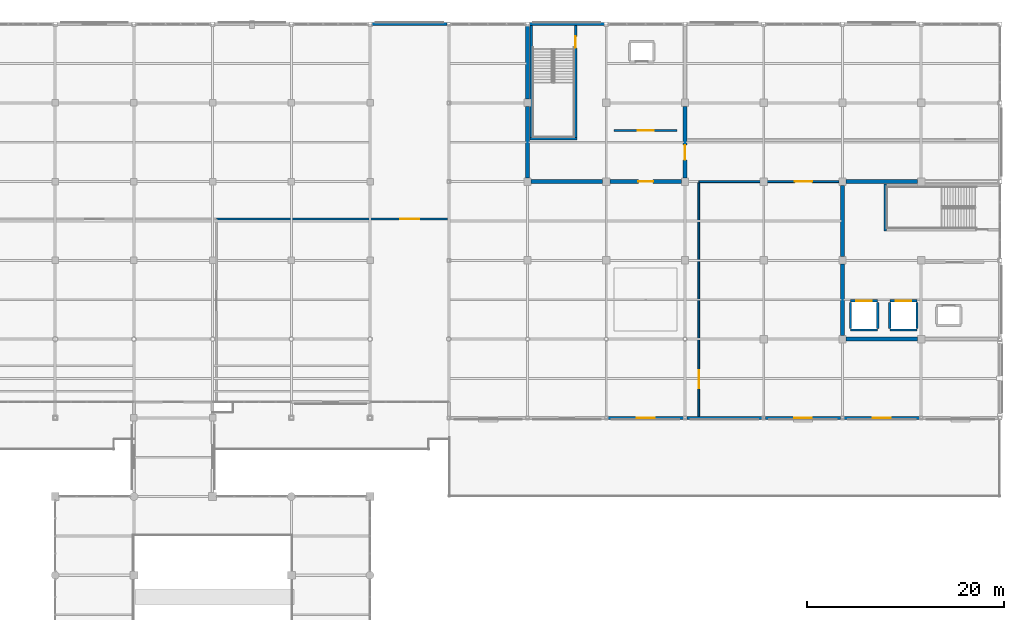
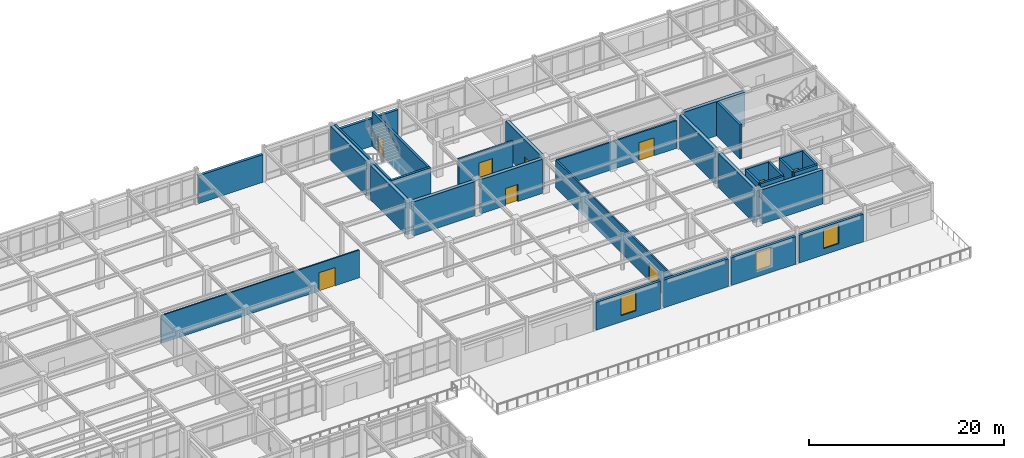
# One storey, part 88 of 111: 31 walls, 9 doors, 3 windows, 12 openings.
"""IFC4 building model written with IfcOpenShell, lengths in metres."""

import ifcopenshell
import ifcopenshell.guid

model = None  # the IFC model being written
_history = None  # IfcOwnerHistory: only IFC2X3 demands one
_inside = {}  # id of a spatial element -> (the spatial element, [elements in it])
_under = {}  # id of a project, library or spatial element -> (it, [spatial elements below it])
_declared = {}  # id of a project -> (the project, [libraries it declares])
_typed = {}  # id of a type object -> (the type object, [elements of that type])
_made_of = {}  # id of a material, layer set ... -> (it, [elements and type objects made of it])


def new_model(schema):
    """Start an empty IFC model of exactly this schema.

    Asked for "IFC4X3", IfcOpenShell would pick the latest addendum, in which some entities
    have other attributes; the version numbers below select the first issue.
    IFC2X3 requires an IfcOwnerHistory on every rooted entity: one is made here for all.
    """
    global model, _history
    if schema == "IFC4X3":
        model = ifcopenshell.file(schema_version=(4, 3, 0, 0))
    else:
        model = ifcopenshell.file(schema=schema)
    _inside.clear()
    _under.clear()
    _declared.clear()
    _typed.clear()
    _made_of.clear()
    _history = None
    if model.schema == "IFC2X3":
        org = make("IfcOrganization", Name="unknown")
        user = make(
            "IfcPersonAndOrganization",
            ThePerson=make("IfcPerson", FamilyName="unknown"),
            TheOrganization=org,
        )
        app = make(
            "IfcApplication",
            ApplicationDeveloper=org,
            Version="unknown",
            ApplicationFullName="unknown",
            ApplicationIdentifier="unknown",
        )
        _history = make(
            "IfcOwnerHistory",
            OwningUser=user,
            OwningApplication=app,
            ChangeAction="ADDED",
            CreationDate=0,
        )
    return model


def make(cls, **values):
    """One entity of the class cls with the attributes given. An attribute that is None is left unset."""
    return model.create_entity(
        cls, **{name: value for name, value in values.items() if value is not None}
    )


def rooted(cls, **values):
    """An entity with a GlobalId (a new one), such as an element, a storey or a relation."""
    return make(cls, GlobalId=ifcopenshell.guid.new(), OwnerHistory=_history, **values)


def si_unit(unit_type, name, prefix=None):
    """IfcSIUnit, for example si_unit("LENGTHUNIT", "METRE", prefix="MILLI")."""
    return make("IfcSIUnit", UnitType=unit_type, Prefix=prefix, Name=name)


def assignment(units):
    """IfcUnitAssignment: the units of a project."""
    return None if units is None else make("IfcUnitAssignment", Units=units)


def point(xyz):
    """IfcCartesianPoint."""
    return None if xyz is None else make("IfcCartesianPoint", Coordinates=xyz)


def direction(xyz):
    """IfcDirection."""
    return None if xyz is None else make("IfcDirection", DirectionRatios=xyz)


def frame(location, z_axis=None, x_axis=None):
    """IfcAxis2Placement3D, a coordinate frame: its origin and axes. An axis left out is left unset."""
    return make(
        "IfcAxis2Placement3D",
        Location=point(location),
        Axis=direction(z_axis),
        RefDirection=direction(x_axis),
    )


def frame_2d(location, x_axis=None):
    """IfcAxis2Placement2D, a coordinate frame in the plane: its origin and x axis."""
    return make(
        "IfcAxis2Placement2D", Location=point(location), RefDirection=direction(x_axis)
    )


def origin():
    """The frame at (0, 0, 0) with its axes left unset."""
    return frame((0.0, 0.0, 0.0))


def place(relative_to, where):
    """IfcLocalPlacement: puts the frame where relative to a parent placement (None: the world)."""
    return make(
        "IfcLocalPlacement", PlacementRelTo=relative_to, RelativePlacement=where
    )


def context(
    kind, dimensions, precision=None, world=None, true_north=None, identifier=None
):
    """IfcGeometricRepresentationContext, for example the 3D "Model" context."""
    return make(
        "IfcGeometricRepresentationContext",
        ContextIdentifier=identifier,
        ContextType=kind,
        CoordinateSpaceDimension=dimensions,
        Precision=precision,
        WorldCoordinateSystem=world,
        TrueNorth=true_north,
    )


def subcontext(parent, identifier, kind, view, scale=None):
    """IfcGeometricRepresentationSubContext, for example "Body" below "Model"."""
    return make(
        "IfcGeometricRepresentationSubContext",
        ContextIdentifier=identifier,
        ContextType=kind,
        ParentContext=parent,
        TargetScale=scale,
        TargetView=view,
    )


def project(units=None, contexts=None):
    """IfcProject with its units and contexts."""
    return rooted(
        "IfcProject",
        Name="project",
        RepresentationContexts=contexts,
        UnitsInContext=assignment(units),
    )


def spatial(cls, under=None, at=None, **own):
    """A site, building, storey or space (cls), placed at a placement, below another one or the project."""
    s = rooted(cls, ObjectPlacement=at, **own)
    if under is not None:
        _under.setdefault(under.id(), (under, []))[1].append(s)
    return s


def profile(cls, at=None, kind="AREA", **sizes):
    """A parametric profile (cls). Its sizes go by their IFC names, for example OverallWidth=200.0."""
    return make(cls, ProfileType=kind, Position=at, **sizes)


def rectangle(**sizes):
    """IfcRectangleProfileDef."""
    return profile("IfcRectangleProfileDef", **sizes)


def extrude(swept, where, along, depth):
    """IfcExtrudedAreaSolid: the profile swept, set in the frame where, extruded along a direction by depth."""
    return make(
        "IfcExtrudedAreaSolid",
        SweptArea=swept,
        Position=where,
        ExtrudedDirection=direction(along),
        Depth=depth,
    )


def shape(context_of_items, identifier, shape_type, items):
    """IfcShapeRepresentation: the items that make up one representation, for example the "Body"."""
    return make(
        "IfcShapeRepresentation",
        ContextOfItems=context_of_items,
        RepresentationIdentifier=identifier,
        RepresentationType=shape_type,
        Items=items,
    )


def material(Name=None, Category=None):
    """IfcMaterial."""
    return make("IfcMaterial", Name=Name, Category=Category)


def layer(
    of_material, thickness, ventilated=None, Name=None, Category=None, Priority=None
):
    """IfcMaterialLayer: one layer of a wall or slab, of a material (None: an air gap)."""
    return make(
        "IfcMaterialLayer",
        Material=of_material,
        LayerThickness=thickness,
        IsVentilated=ventilated,
        Name=Name,
        Category=Category,
        Priority=Priority,
    )


def layer_set(layers, Name=None):
    """IfcMaterialLayerSet."""
    return make("IfcMaterialLayerSet", MaterialLayers=layers, LayerSetName=Name)


def made_of(thing, what):
    """Note that an element or type object is made of a material, layer set ...; save() writes the relation."""
    if what is not None:
        _made_of.setdefault(what.id(), (what, []))[1].append(thing)
    return thing


def type_object(cls, material=None, **own):
    """A type object (cls), such as IfcWallType, which elements share."""
    return made_of(rooted(cls, **own), material)


def element(
    cls,
    number,
    at=None,
    inside=None,
    cuts=None,
    type_object=None,
    material=None,
    context=None,
    identifier="Body",
    shape_type=None,
    held_by="IfcProductDefinitionShape",
    body=None,
    shapes=None,
    **own,
):
    """One element of the class cls, such as IfcWall. Its Tag is "e" and its number.

    at: its placement. inside: the storey or other place that contains it. cuts: it is an
    opening in that element (IfcRelVoidsElement). A single representation is given by context,
    identifier, shape_type and body (its items); several are given by shapes. held_by: the class
    of the entity that holds the representations. save() writes the other relations.
    """
    e = rooted(cls, Tag="e%d" % number, ObjectPlacement=at, **own)
    if body is not None:
        shapes = [shape(context, identifier, shape_type, body)]
    if shapes is not None:
        e.Representation = make(held_by, Representations=shapes)
    if inside is not None:
        _inside.setdefault(inside.id(), (inside, []))[1].append(e)
    if cuts is not None:
        rooted(
            "IfcRelVoidsElement", RelatingBuildingElement=cuts, RelatedOpeningElement=e
        )
    if type_object is not None:
        _typed.setdefault(type_object.id(), (type_object, []))[1].append(e)
    return made_of(e, material)


def fill(opening, filler):
    """IfcRelFillsElement: the door or window that sits in an opening."""
    return rooted(
        "IfcRelFillsElement",
        RelatingOpeningElement=opening,
        RelatedBuildingElement=filler,
    )


def aggregate(whole, parts):
    """IfcRelAggregates: a whole, such as a stair, and the parts it consists of."""
    return rooted("IfcRelAggregates", RelatingObject=whole, RelatedObjects=parts)


def save(model, path):
    """Write the relations noted so far, then the file.

    IfcRelAggregates (storeys below a building ...), IfcRelContainedInSpatialStructure (elements
    in a storey), IfcRelDefinesByType, IfcRelAssociatesMaterial and IfcRelDeclares: one each for
    every whole, place, type object, material and project.
    """
    for whole, parts in _under.values():
        aggregate(whole, parts)
    for where, things in _inside.values():
        rooted(
            "IfcRelContainedInSpatialStructure",
            RelatedElements=things,
            RelatingStructure=where,
        )
    for kind, things in _typed.values():
        rooted("IfcRelDefinesByType", RelatedObjects=things, RelatingType=kind)
    for what, things in _made_of.values():
        rooted("IfcRelAssociatesMaterial", RelatedObjects=things, RelatingMaterial=what)
    for by, libraries in _declared.values():
        rooted("IfcRelDeclares", RelatingContext=by, RelatedDefinitions=libraries)
    model.write(path)


model = new_model("IFC4")

# Units and contexts
model_context = context("Model", 3, precision=1e-05, world=origin(), true_north=direction((0.0, 1.0)))
body_context = subcontext(model_context, "Body", "Model", "MODEL_VIEW")
ifc_project = project(units=[si_unit("LENGTHUNIT", "METRE"), si_unit("AREAUNIT", "SQUARE_METRE"), si_unit("VOLUMEUNIT", "CUBIC_METRE"), si_unit("PLANEANGLEUNIT", "RADIAN"), si_unit("MASSUNIT", "GRAM", prefix="KILO")], contexts=[model_context])

# Site, building, storey
site_placement = place(None, origin())
site = spatial("IfcSite", under=ifc_project, at=site_placement, CompositionType="ELEMENT")
building_placement = place(site_placement, origin())
building = spatial("IfcBuilding", under=site, at=building_placement, Name="Solmirada Galleria", CompositionType="ELEMENT")
storey_placement = place(building_placement, frame((0.0, 0.0, 10.39990234375)))
storey = spatial("IfcBuildingStorey", under=building, at=storey_placement, Name="L02", CompositionType="ELEMENT", Elevation=10.39990234375)

# Wall
ifc_material_1 = material(Name="Concrete C40/50", Category="concrete")
ifc_layer_1 = layer(ifc_material_1, 0.419921875)
ifc_layer_set_1 = layer_set([ifc_layer_1], Name="Concrete C40/50")
wall_type_1 = type_object("IfcWallType", Name="WL-CORE-420", PredefinedType="SHEAR", material=ifc_layer_set_1)
wall_1_placement = place(storey_placement, frame((128.375, 104.0, 0.0), z_axis=(0.0, 0.0, 1.0), x_axis=(1.0, 0.0, 0.0)))
element("IfcWall", 1, at=wall_1_placement, inside=storey, type_object=wall_type_1, Name="Core C3 shear wall L02 S1", PredefinedType="SHEAR", context=body_context, shape_type="SweptSolid", body=[
    extrude(rectangle(XDim=7.25, YDim=0.419921875, at=frame_2d((3.625, 0.0))), origin(), (0.0, 0.0, 1.0), 4.280029296875),
])

# Wall, opening, door
wall_2_placement = place(storey_placement, frame((136.375, 104.0, 0.0), z_axis=(0.0, 0.0, 1.0), x_axis=(1.0, 0.0, 0.0)))
wall_2 = element("IfcWall", 2, at=wall_2_placement, inside=storey, type_object=wall_type_1, Name="Core C3 shear wall L02 S2", PredefinedType="SHEAR", context=body_context, shape_type="SweptSolid", body=[
    extrude(rectangle(XDim=7.25, YDim=0.419921875, at=frame_2d((3.625, 0.0))), origin(), (0.0, 0.0, 1.0), 4.280029296875),
])
opening_1_placement = place(wall_2_placement, frame((2.875, 0.0, 0.0)))
opening_1 = element("IfcOpeningElement", 3, at=opening_1_placement, cuts=wall_2, Name="Opening LDY-182", PredefinedType="OPENING", context=body_context, shape_type="SweptSolid", body=[
    extrude(rectangle(XDim=1.5, YDim=2.14990234375, at=frame_2d((0.75, 1.074951171875))), frame((0.0, 0.219970703125, 0.0), z_axis=(0.0, -1.0, 0.0), x_axis=(1.0, 0.0, 0.0)), (0.0, 0.0, 1.0), 0.43994140625),
])
ifc_material_2 = material(Name="Fire-rated painted steel door assembly", Category="steel")
door_type_1 = type_object("IfcDoorType", Name="DR-LOBBY-150X215", OperationType="DOUBLE_DOOR_SINGLE_SWING", PredefinedType="DOOR", material=ifc_material_2)
door_1_placement = place(opening_1_placement, origin())
door_1 = element("IfcDoor", 4, at=door_1_placement, inside=storey, type_object=door_type_1, Name="Core C3 lobby access fire door LDY-182", OperationType="DOUBLE_DOOR_SINGLE_SWING", OverallHeight=2.14990234375, OverallWidth=1.5, PredefinedType="DOOR", context=body_context, shape_type="SweptSolid", body=[
    extrude(rectangle(XDim=1.5, YDim=2.14990234375, at=frame_2d((0.75, 1.074951171875))), frame((0.0, 0.02490234375, 0.0), z_axis=(0.0, -1.0, 0.0), x_axis=(1.0, 0.0, 0.0)), (0.0, 0.0, 1.0), 0.050048828125),
])
fill(opening_1, door_1)

# Walls
wall_3_placement = place(storey_placement, frame((128.0, 104.375, 0.0), z_axis=(0.0, 0.0, 1.0), x_axis=(0.0, 1.0, 0.0)))
element("IfcWall", 5, at=wall_3_placement, inside=storey, type_object=wall_type_1, Name="Core C3 shear wall L02 W1", PredefinedType="SHEAR", context=body_context, shape_type="SweptSolid", body=[
    extrude(rectangle(XDim=7.25, YDim=0.419921875, at=frame_2d((3.625, 0.0))), origin(), (0.0, 0.0, 1.0), 4.280029296875),
])
wall_4_placement = place(storey_placement, frame((128.0, 112.375, 0.0), z_axis=(0.0, 0.0, 1.0), x_axis=(0.0, 1.0, 0.0)))
element("IfcWall", 6, at=wall_4_placement, inside=storey, type_object=wall_type_1, Name="Core C3 shear wall L02 W2", PredefinedType="SHEAR", context=body_context, shape_type="SweptSolid", body=[
    extrude(rectangle(XDim=7.422119140625, YDim=0.419921875, at=frame_2d((3.7109375, 0.0))), origin(), (0.0, 0.0, 1.0), 4.280029296875),
])

# Wall, opening, door
wall_5_placement = place(storey_placement, frame((144.0, 104.375, 0.0), z_axis=(0.0, 0.0, 1.0), x_axis=(0.0, 1.0, 0.0)))
wall_5 = element("IfcWall", 7, at=wall_5_placement, inside=storey, type_object=wall_type_1, Name="Core C3 shear wall L02 E1", PredefinedType="SHEAR", context=body_context, shape_type="SweptSolid", body=[
    extrude(rectangle(XDim=7.25, YDim=0.419921875, at=frame_2d((3.625, 0.0))), origin(), (0.0, 0.0, 1.0), 4.280029296875),
])
opening_2_placement = place(wall_5_placement, frame((1.837890625, 0.0, 0.0)))
opening_2 = element("IfcOpeningElement", 8, at=opening_2_placement, cuts=wall_5, Name="Opening LDY-183", PredefinedType="OPENING", context=body_context, shape_type="SweptSolid", body=[
    extrude(rectangle(XDim=1.5, YDim=2.14990234375, at=frame_2d((0.75, 1.074951171875))), frame((0.0, 0.219970703125, 0.0), z_axis=(0.0, -1.0, 0.0), x_axis=(1.0, 0.0, 0.0)), (0.0, 0.0, 1.0), 0.43994140625),
])
door_2_placement = place(opening_2_placement, origin())
door_2 = element("IfcDoor", 9, at=door_2_placement, inside=storey, type_object=door_type_1, Name="Core C3 lobby access fire door LDY-183", OperationType="DOUBLE_DOOR_SINGLE_SWING", OverallHeight=2.14990234375, OverallWidth=1.5, PredefinedType="DOOR", context=body_context, shape_type="SweptSolid", body=[
    extrude(rectangle(XDim=1.5, YDim=2.14990234375, at=frame_2d((0.75, 1.074951171875))), frame((0.0, 0.02490234375, 0.0), z_axis=(0.0, -1.0, 0.0), x_axis=(1.0, 0.0, 0.0)), (0.0, 0.0, 1.0), 0.050048828125),
])
fill(opening_2, door_2)

# Walls
for number, where, z_axis, x_axis, name in (
    (10, (160.375, 88.0, 0.0), (0.0, 0.0, 1.0), (1.0, 0.0, 0.0), "Core C4 shear wall L02 S1"),
    (11, (160.375, 104.0, 0.0), (0.0, 0.0, 1.0), (1.0, 0.0, 0.0), "Core C4 shear wall L02 N1"),
    (12, (160.0, 88.375, 0.0), (0.0, 0.0, 1.0), (0.0, 1.0, 0.0), "Core C4 shear wall L02 W1"),
    (13, (160.0, 96.375, 0.0), (0.0, 0.0, 1.0), (0.0, 1.0, 0.0), "Core C4 shear wall L02 W2"),
):
    element("IfcWall", number, at=place(storey_placement, frame(where, z_axis=z_axis, x_axis=x_axis)), inside=storey, type_object=wall_type_1, Name=name, PredefinedType="SHEAR", context=body_context, shape_type="SweptSolid", body=[
        extrude(rectangle(XDim=7.25, YDim=0.419921875, at=frame_2d((3.625, 0.0))), origin(), (0.0, 0.0, 1.0), 4.280029296875),
    ])
ifc_material_3 = material(Name="Precast concrete C40/50", Category="concrete")
ifc_layer_2 = layer(ifc_material_3, 0.31005859375)
ifc_layer_set_2 = layer_set([ifc_layer_2], Name="Precast concrete C40/50")
wall_type_2 = type_object("IfcWallType", Name="WL-EXT-310", PredefinedType="STANDARD", material=ifc_layer_set_2)
wall_6_placement = place(storey_placement, frame((112.202880859375, 120.0, 0.0), z_axis=(0.0, 0.0, 1.0), x_axis=(1.0, 0.0, 0.0)))
element("IfcWall", 14, at=wall_6_placement, inside=storey, type_object=wall_type_2, Name="Exterior wall L02 bay 048", PredefinedType="STANDARD", context=body_context, shape_type="SweptSolid", body=[
    extrude(rectangle(XDim=7.619140625, YDim=0.31005859375, at=frame_2d((3.8095703125, 0.0))), origin(), (0.0, 0.0, 1.0), 3.47998046875),
])
wall_7_placement = place(storey_placement, frame((128.202880859375, 120.0, 0.0), z_axis=(0.0, 0.0, 1.0), x_axis=(1.0, 0.0, 0.0)))
element("IfcWall", 15, at=wall_7_placement, inside=storey, type_object=wall_type_2, Name="Exterior wall L02 bay 050", PredefinedType="STANDARD", context=body_context, shape_type="SweptSolid", body=[
    extrude(rectangle(XDim=7.59423828125, YDim=0.31005859375, at=frame_2d((3.797119140625, 0.0))), origin(), (0.0, 0.0, 1.0), 3.47998046875),
])

# Wall, opening, window
wall_8_placement = place(storey_placement, frame((167.822021484375, 80.0, 0.0), z_axis=(0.0, 0.0, 1.0), x_axis=(-1.0, 0.0, 0.0)))
wall_8 = element("IfcWall", 16, at=wall_8_placement, inside=storey, type_object=wall_type_2, Name="Exterior wall L02 bay 062", PredefinedType="STANDARD", context=body_context, shape_type="SweptSolid", body=[
    extrude(rectangle(XDim=7.64404296875, YDim=0.31005859375, at=frame_2d((3.822021484375, 0.0))), origin(), (0.0, 0.0, 1.0), 3.47998046875),
])
opening_3_placement = place(wall_8_placement, frame((2.922119140625, 0.0, 0.800048828125)))
opening_3 = element("IfcOpeningElement", 17, at=opening_3_placement, cuts=wall_8, Name="Opening WN25", PredefinedType="OPENING", context=body_context, shape_type="SweptSolid", body=[
    extrude(rectangle(XDim=1.800048828125, YDim=2.39990234375, at=frame_2d((0.89990234375, 1.199951171875))), frame((0.0, 0.1650390625, 0.0), z_axis=(0.0, -1.0, 0.0), x_axis=(1.0, 0.0, 0.0)), (0.0, 0.0, 1.0), 0.330078125),
])
ifc_material_4 = material(Name="Impact-resistant low-E double glazing", Category="glass")
window_type = type_object("IfcWindowType", Name="WIN-ARCH-180X240", PartitioningType="DOUBLE_PANEL_HORIZONTAL", PredefinedType="WINDOW", material=ifc_material_4)
window_1_placement = place(opening_3_placement, origin())
window_1 = element("IfcWindow", 18, at=window_1_placement, inside=storey, type_object=window_type, Name="Window L02-055", OverallHeight=2.39990234375, OverallWidth=1.800048828125, PartitioningType="DOUBLE_PANEL_HORIZONTAL", PredefinedType="WINDOW", context=body_context, shape_type="SweptSolid", body=[
    extrude(rectangle(XDim=1.800048828125, YDim=2.39990234375, at=frame_2d((0.89990234375, 1.199951171875))), frame((0.0, 0.030029296875, 0.0), z_axis=(0.0, -1.0, 0.0), x_axis=(1.0, 0.0, 0.0)), (0.0, 0.0, 1.0), 0.06005859375),
])
fill(opening_3, window_1)

wall_9_placement = place(storey_placement, frame((159.822021484375, 80.0, 0.0), z_axis=(0.0, 0.0, 1.0), x_axis=(-1.0, 0.0, 0.0)))
wall_9 = element("IfcWall", 19, at=wall_9_placement, inside=storey, type_object=wall_type_2, Name="Exterior wall L02 bay 063", PredefinedType="STANDARD", context=body_context, shape_type="SweptSolid", body=[
    extrude(rectangle(XDim=7.64404296875, YDim=0.31005859375, at=frame_2d((3.822021484375, 0.0))), origin(), (0.0, 0.0, 1.0), 3.47998046875),
])
opening_4_placement = place(wall_9_placement, frame((2.922119140625, 0.0, 0.800048828125)))
opening_4 = element("IfcOpeningElement", 20, at=opening_4_placement, cuts=wall_9, Name="Opening WN25", PredefinedType="OPENING", context=body_context, shape_type="SweptSolid", body=[
    extrude(rectangle(XDim=1.800048828125, YDim=2.39990234375, at=frame_2d((0.89990234375, 1.199951171875))), frame((0.0, 0.1650390625, 0.0), z_axis=(0.0, -1.0, 0.0), x_axis=(1.0, 0.0, 0.0)), (0.0, 0.0, 1.0), 0.330078125),
])
window_2_placement = place(opening_4_placement, origin())
window_2 = element("IfcWindow", 21, at=window_2_placement, inside=storey, type_object=window_type, Name="Window L02-056", OverallHeight=2.39990234375, OverallWidth=1.800048828125, PartitioningType="DOUBLE_PANEL_HORIZONTAL", PredefinedType="WINDOW", context=body_context, shape_type="SweptSolid", body=[
    extrude(rectangle(XDim=1.800048828125, YDim=2.39990234375, at=frame_2d((0.89990234375, 1.199951171875))), frame((0.0, 0.030029296875, 0.0), z_axis=(0.0, -1.0, 0.0), x_axis=(1.0, 0.0, 0.0)), (0.0, 0.0, 1.0), 0.06005859375),
])
fill(opening_4, window_2)

# Wall
wall_10_placement = place(storey_placement, frame((151.822021484375, 80.0, 0.0), z_axis=(0.0, 0.0, 1.0), x_axis=(-1.0, 0.0, 0.0)))
element("IfcWall", 22, at=wall_10_placement, inside=storey, type_object=wall_type_2, Name="Exterior wall L02 bay 064", PredefinedType="STANDARD", context=body_context, shape_type="SweptSolid", body=[
    extrude(rectangle(XDim=7.64404296875, YDim=0.31005859375, at=frame_2d((3.822021484375, 0.0))), origin(), (0.0, 0.0, 1.0), 3.47998046875),
])

# Wall, opening, window
wall_11_placement = place(storey_placement, frame((143.822021484375, 80.0, 0.0), z_axis=(0.0, 0.0, 1.0), x_axis=(-1.0, 0.0, 0.0)))
wall_11 = element("IfcWall", 23, at=wall_11_placement, inside=storey, type_object=wall_type_2, Name="Exterior wall L02 bay 065", PredefinedType="STANDARD", context=body_context, shape_type="SweptSolid", body=[
    extrude(rectangle(XDim=7.64404296875, YDim=0.31005859375, at=frame_2d((3.822021484375, 0.0))), origin(), (0.0, 0.0, 1.0), 3.47998046875),
])
opening_5_placement = place(wall_11_placement, frame((2.922119140625, 0.0, 0.800048828125)))
opening_5 = element("IfcOpeningElement", 24, at=opening_5_placement, cuts=wall_11, Name="Opening WN25", PredefinedType="OPENING", context=body_context, shape_type="SweptSolid", body=[
    extrude(rectangle(XDim=1.800048828125, YDim=2.39990234375, at=frame_2d((0.89990234375, 1.199951171875))), frame((0.0, 0.1650390625, 0.0), z_axis=(0.0, -1.0, 0.0), x_axis=(1.0, 0.0, 0.0)), (0.0, 0.0, 1.0), 0.330078125),
])
window_3_placement = place(opening_5_placement, origin())
window_3 = element("IfcWindow", 25, at=window_3_placement, inside=storey, type_object=window_type, Name="Window L02-057", OverallHeight=2.39990234375, OverallWidth=1.800048828125, PartitioningType="DOUBLE_PANEL_HORIZONTAL", PredefinedType="WINDOW", context=body_context, shape_type="SweptSolid", body=[
    extrude(rectangle(XDim=1.800048828125, YDim=2.39990234375, at=frame_2d((0.89990234375, 1.199951171875))), frame((0.0, 0.030029296875, 0.0), z_axis=(0.0, -1.0, 0.0), x_axis=(1.0, 0.0, 0.0)), (0.0, 0.0, 1.0), 0.06005859375),
])
fill(opening_5, window_3)

# Wall, opening, door
ifc_layer_3 = layer(ifc_material_1, 0.239990234375)
ifc_layer_set_3 = layer_set([ifc_layer_3], Name="Concrete C40/50")
wall_type_3 = type_object("IfcWallType", Name="WL-HOIST-240", PredefinedType="PARTITIONING", material=ifc_layer_set_3)
wall_12_placement = place(storey_placement, frame((164.820068359375, 91.8798828125, 0.0), z_axis=(0.0, 0.0, 1.0), x_axis=(1.0, 0.0, 0.0)))
wall_12 = element("IfcWall", 26, at=wall_12_placement, inside=storey, type_object=wall_type_3, Name="Lift GF1 hoistway front wall L02", PredefinedType="PARTITIONING", context=body_context, shape_type="SweptSolid", body=[
    extrude(rectangle(XDim=2.760009765625, YDim=0.239990234375, at=frame_2d((1.3798828125, 0.0))), origin(), (0.0, 0.0, 1.0), 4.280029296875),
])
opening_6_placement = place(wall_12_placement, frame((0.580078125, 0.0, 0.0)))
opening_6 = element("IfcOpeningElement", 27, at=opening_6_placement, cuts=wall_12, Name="Opening LD-GF1-L02", PredefinedType="OPENING", context=body_context, shape_type="SweptSolid", body=[
    extrude(rectangle(XDim=1.60009765625, YDim=2.300048828125, at=frame_2d((0.800048828125, 1.14990234375))), frame((0.0, 0.1298828125, 0.0), z_axis=(0.0, -1.0, 0.0), x_axis=(1.0, 0.0, 0.0)), (0.0, 0.0, 1.0), 0.260009765625),
])
ifc_material_5 = material(Name="Brushed stainless-steel sliding landing door", Category="steel")
door_type_2 = type_object("IfcDoorType", Name="DR-LIFT-160X230", OperationType="SLIDING_TO_LEFT", PredefinedType="DOOR", material=ifc_material_5)
door_3_placement = place(opening_6_placement, origin())
door_3 = element("IfcDoor", 28, at=door_3_placement, inside=storey, type_object=door_type_2, Name="Lift GF1 sliding landing door L02", OperationType="SLIDING_TO_LEFT", OverallHeight=2.300048828125, OverallWidth=1.60009765625, PredefinedType="DOOR", context=body_context, shape_type="SweptSolid", body=[
    extrude(rectangle(XDim=1.60009765625, YDim=2.300048828125, at=frame_2d((0.800048828125, 1.14990234375))), frame((0.0, 0.02490234375, 0.0), z_axis=(0.0, -1.0, 0.0), x_axis=(1.0, 0.0, 0.0)), (0.0, 0.0, 1.0), 0.050048828125),
])
fill(opening_6, door_3)

# Walls
wall_13_placement = place(storey_placement, frame((164.820068359375, 88.919921875, 0.0), z_axis=(0.0, 0.0, 1.0), x_axis=(1.0, 0.0, 0.0)))
element("IfcWall", 29, at=wall_13_placement, inside=storey, type_object=wall_type_3, Name="Lift GF1 hoistway rear wall L02", PredefinedType="PARTITIONING", context=body_context, shape_type="SweptSolid", body=[
    extrude(rectangle(XDim=2.760009765625, YDim=0.239990234375, at=frame_2d((1.3798828125, 0.0))), origin(), (0.0, 0.0, 1.0), 4.280029296875),
])
for number, where, z_axis, x_axis, name in (
    (30, (164.820068359375, 89.06005859375, 0.0), (0.0, 0.0, 1.0), (0.0, 1.0, 0.0), "Lift GF1 hoistway side wall L L02"),
    (31, (167.580078125, 89.06005859375, 0.0), (0.0, 0.0, 1.0), (0.0, 1.0, 0.0), "Lift GF1 hoistway side wall R L02"),
):
    element("IfcWall", number, at=place(storey_placement, frame(where, z_axis=z_axis, x_axis=x_axis)), inside=storey, type_object=wall_type_3, Name=name, PredefinedType="PARTITIONING", context=body_context, shape_type="SweptSolid", body=[
        extrude(rectangle(XDim=2.679931640625, YDim=0.239990234375, at=frame_2d((1.33984375, 0.0))), origin(), (0.0, 0.0, 1.0), 4.280029296875),
    ])

# Wall, opening, door
wall_14_placement = place(storey_placement, frame((160.820068359375, 91.8798828125, 0.0), z_axis=(0.0, 0.0, 1.0), x_axis=(1.0, 0.0, 0.0)))
wall_14 = element("IfcWall", 32, at=wall_14_placement, inside=storey, type_object=wall_type_3, Name="Lift GF2 hoistway front wall L02", PredefinedType="PARTITIONING", context=body_context, shape_type="SweptSolid", body=[
    extrude(rectangle(XDim=2.760009765625, YDim=0.239990234375, at=frame_2d((1.3798828125, 0.0))), origin(), (0.0, 0.0, 1.0), 4.280029296875),
])
opening_7_placement = place(wall_14_placement, frame((0.580078125, 0.0, 0.0)))
opening_7 = element("IfcOpeningElement", 33, at=opening_7_placement, cuts=wall_14, Name="Opening LD-GF2-L02", PredefinedType="OPENING", context=body_context, shape_type="SweptSolid", body=[
    extrude(rectangle(XDim=1.60009765625, YDim=2.300048828125, at=frame_2d((0.800048828125, 1.14990234375))), frame((0.0, 0.1298828125, 0.0), z_axis=(0.0, -1.0, 0.0), x_axis=(1.0, 0.0, 0.0)), (0.0, 0.0, 1.0), 0.260009765625),
])
door_4_placement = place(opening_7_placement, origin())
door_4 = element("IfcDoor", 34, at=door_4_placement, inside=storey, type_object=door_type_2, Name="Lift GF2 sliding landing door L02", OperationType="SLIDING_TO_LEFT", OverallHeight=2.300048828125, OverallWidth=1.60009765625, PredefinedType="DOOR", context=body_context, shape_type="SweptSolid", body=[
    extrude(rectangle(XDim=1.60009765625, YDim=2.300048828125, at=frame_2d((0.800048828125, 1.14990234375))), frame((0.0, 0.02490234375, 0.0), z_axis=(0.0, -1.0, 0.0), x_axis=(1.0, 0.0, 0.0)), (0.0, 0.0, 1.0), 0.050048828125),
])
fill(opening_7, door_4)

# Walls
wall_15_placement = place(storey_placement, frame((160.820068359375, 88.919921875, 0.0), z_axis=(0.0, 0.0, 1.0), x_axis=(1.0, 0.0, 0.0)))
element("IfcWall", 35, at=wall_15_placement, inside=storey, type_object=wall_type_3, Name="Lift GF2 hoistway rear wall L02", PredefinedType="PARTITIONING", context=body_context, shape_type="SweptSolid", body=[
    extrude(rectangle(XDim=2.760009765625, YDim=0.239990234375, at=frame_2d((1.3798828125, 0.0))), origin(), (0.0, 0.0, 1.0), 4.280029296875),
])
for number, where, z_axis, x_axis, name in (
    (36, (160.820068359375, 89.06005859375, 0.0), (0.0, 0.0, 1.0), (0.0, 1.0, 0.0), "Lift GF2 hoistway side wall L L02"),
    (37, (163.580078125, 89.06005859375, 0.0), (0.0, 0.0, 1.0), (0.0, 1.0, 0.0), "Lift GF2 hoistway side wall R L02"),
):
    element("IfcWall", number, at=place(storey_placement, frame(where, z_axis=z_axis, x_axis=x_axis)), inside=storey, type_object=wall_type_3, Name=name, PredefinedType="PARTITIONING", context=body_context, shape_type="SweptSolid", body=[
        extrude(rectangle(XDim=2.679931640625, YDim=0.239990234375, at=frame_2d((1.33984375, 0.0))), origin(), (0.0, 0.0, 1.0), 4.280029296875),
    ])

# Wall, opening, door
ifc_material_6 = material(Name="Acoustic gypsum board partition")
ifc_layer_4 = layer(ifc_material_6, 0.159912109375)
ifc_layer_set_4 = layer_set([ifc_layer_4], Name="Acoustic gypsum board partition")
wall_type_4 = type_object("IfcWallType", Name="WL-PART-160", PredefinedType="PARTITIONING", material=ifc_layer_set_4)
wall_16_placement = place(storey_placement, frame((96.39990234375, 100.199951171875, 0.0), z_axis=(0.0, 0.0, 1.0), x_axis=(1.0, 0.0, 0.0)))
wall_16 = element("IfcWall", 38, at=wall_16_placement, inside=storey, type_object=wall_type_4, Name="Partition L02-073 (North Promenade E L02)", PredefinedType="PARTITIONING", context=body_context, shape_type="SweptSolid", body=[
    extrude(rectangle(XDim=23.4501953125, YDim=0.159912109375, at=frame_2d((11.72509765625, 0.0))), origin(), (0.0, 0.0, 1.0), 3.47998046875),
])
opening_8_placement = place(wall_16_placement, frame((18.673095703125, 0.0, 0.0)))
opening_8 = element("IfcOpeningElement", 39, at=opening_8_placement, cuts=wall_16, Name="Opening ID-309", PredefinedType="OPENING", context=body_context, shape_type="SweptSolid", body=[
    extrude(rectangle(XDim=1.89990234375, YDim=2.300048828125, at=frame_2d((0.949951171875, 1.14990234375))), frame((0.0, 0.08984375, 0.0), z_axis=(0.0, -1.0, 0.0), x_axis=(1.0, 0.0, 0.0)), (0.0, 0.0, 1.0), 0.179931640625),
])
ifc_material_7 = material(Name="Architectural hardwood veneer door", Category="wood")
door_type_3 = type_object("IfcDoorType", Name="DR-DEPT-190X230", OperationType="DOUBLE_DOOR_SINGLE_SWING", PredefinedType="DOOR", material=ifc_material_7)
door_5_placement = place(opening_8_placement, origin())
door_5 = element("IfcDoor", 40, at=door_5_placement, inside=storey, type_object=door_type_3, Name="North Promenade E L02 door ID-309", OperationType="DOUBLE_DOOR_SINGLE_SWING", OverallHeight=2.300048828125, OverallWidth=1.89990234375, PredefinedType="DOOR", context=body_context, shape_type="SweptSolid", body=[
    extrude(rectangle(XDim=1.89990234375, YDim=2.300048828125, at=frame_2d((0.949951171875, 1.14990234375))), frame((0.0, 0.02490234375, 0.0), z_axis=(0.0, -1.0, 0.0), x_axis=(1.0, 0.0, 0.0)), (0.0, 0.0, 1.0), 0.050048828125),
])
fill(opening_8, door_5)

ifc_material_8 = material(Name="Fire-rated gypsum and steel-stud partition", Category="steel")
ifc_layer_5 = layer(ifc_material_8, 0.18994140625)
ifc_layer_set_5 = layer_set([ifc_layer_5], Name="Fire-rated gypsum and steel-stud partition")
wall_type_5 = type_object("IfcWallType", Name="WL-PART-190", PredefinedType="PARTITIONING", material=ifc_layer_set_5)
wall_17_placement = place(storey_placement, frame((145.39990234375, 104.0, 0.0), z_axis=(0.0, 0.0, 1.0), x_axis=(1.0, 0.0, 0.0)))
wall_17 = element("IfcWall", 41, at=wall_17_placement, inside=storey, type_object=wall_type_5, Name="Partition L02-088 (NE Corridor South E L02)", PredefinedType="PARTITIONING", context=body_context, shape_type="SweptSolid", body=[
    extrude(rectangle(XDim=14.22509765625, YDim=0.18994140625, at=frame_2d((7.112548828125, 0.0))), origin(), (0.0, 0.0, 1.0), 3.47998046875),
])
opening_9_placement = place(wall_17_placement, frame((9.72998046875, 0.0, 0.0)))
opening_9 = element("IfcOpeningElement", 42, at=opening_9_placement, cuts=wall_17, Name="Opening ID-321", PredefinedType="OPENING", context=body_context, shape_type="SweptSolid", body=[
    extrude(rectangle(XDim=1.800048828125, YDim=2.25, at=frame_2d((0.89990234375, 1.125))), frame((0.0, 0.10498046875, 0.0), z_axis=(0.0, -1.0, 0.0), x_axis=(1.0, 0.0, 0.0)), (0.0, 0.0, 1.0), 0.2099609375),
])
door_type_4 = type_object("IfcDoorType", Name="DR-STOCK-180X225", OperationType="DOUBLE_DOOR_SINGLE_SWING", PredefinedType="DOOR", material=ifc_material_2)
door_6_placement = place(opening_9_placement, origin())
door_6 = element("IfcDoor", 43, at=door_6_placement, inside=storey, type_object=door_type_4, Name="NE Corridor South E L02 door ID-321", OperationType="DOUBLE_DOOR_SINGLE_SWING", OverallHeight=2.25, OverallWidth=1.800048828125, PredefinedType="DOOR", context=body_context, shape_type="SweptSolid", body=[
    extrude(rectangle(XDim=1.800048828125, YDim=2.25, at=frame_2d((0.89990234375, 1.125))), frame((0.0, 0.02490234375, 0.0), z_axis=(0.0, -1.0, 0.0), x_axis=(1.0, 0.0, 0.0)), (0.0, 0.0, 1.0), 0.050048828125),
])
fill(opening_9, door_6)

wall_18_placement = place(storey_placement, frame((145.39990234375, 80.14990234375, 0.0), z_axis=(0.0, 0.0, 1.0), x_axis=(0.0, 1.0, 0.0)))
wall_18 = element("IfcWall", 44, at=wall_18_placement, inside=storey, type_object=wall_type_5, Name="Partition L02-089 (Stockroom L02)", PredefinedType="PARTITIONING", context=body_context, shape_type="SweptSolid", body=[
    extrude(rectangle(XDim=23.85009765625, YDim=0.18994140625, at=frame_2d((11.925048828125, 0.0))), origin(), (0.0, 0.0, 1.0), 3.47998046875),
])
opening_10_placement = place(wall_18_placement, frame((2.862060546875, 0.0, 0.0)))
opening_10 = element("IfcOpeningElement", 45, at=opening_10_placement, cuts=wall_18, Name="Opening ID-322", PredefinedType="OPENING", context=body_context, shape_type="SweptSolid", body=[
    extrude(rectangle(XDim=1.800048828125, YDim=2.25, at=frame_2d((0.89990234375, 1.125))), frame((0.0, 0.10498046875, 0.0), z_axis=(0.0, -1.0, 0.0), x_axis=(1.0, 0.0, 0.0)), (0.0, 0.0, 1.0), 0.2099609375),
])
door_7_placement = place(opening_10_placement, origin())
door_7 = element("IfcDoor", 46, at=door_7_placement, inside=storey, type_object=door_type_4, Name="Stockroom L02 door ID-322", OperationType="DOUBLE_DOOR_SINGLE_SWING", OverallHeight=2.25, OverallWidth=1.800048828125, PredefinedType="DOOR", context=body_context, shape_type="SweptSolid", body=[
    extrude(rectangle(XDim=1.800048828125, YDim=2.25, at=frame_2d((0.89990234375, 1.125))), frame((0.0, 0.02490234375, 0.0), z_axis=(0.0, -1.0, 0.0), x_axis=(1.0, 0.0, 0.0)), (0.0, 0.0, 1.0), 0.050048828125),
])
fill(opening_10, door_7)

ifc_layer_6 = layer(ifc_material_8, 0.219970703125)
ifc_layer_set_6 = layer_set([ifc_layer_6], Name="Fire-rated gypsum and steel-stud partition")
wall_type_6 = type_object("IfcWallType", Name="WL-PART-220", PredefinedType="PARTITIONING", material=ifc_layer_set_6)
wall_19_placement = place(storey_placement, frame((136.800048828125, 109.199951171875, 0.0), z_axis=(0.0, 0.0, 1.0), x_axis=(1.0, 0.0, 0.0)))
wall_19 = element("IfcWall", 47, at=wall_19_placement, inside=storey, type_object=wall_type_6, Name="Firefighting lift lobby C3 smoke barrier L02", PredefinedType="PARTITIONING", context=body_context, shape_type="SweptSolid", body=[
    extrude(rectangle(XDim=6.39990234375, YDim=0.219970703125, at=frame_2d((3.199951171875, 0.0))), origin(), (0.0, 0.0, 1.0), 3.47998046875),
])
opening_11_placement = place(wall_19_placement, frame((2.39990234375, 0.0, 0.0)))
opening_11 = element("IfcOpeningElement", 48, at=opening_11_placement, cuts=wall_19, Name="Opening FD-184", PredefinedType="OPENING", context=body_context, shape_type="SweptSolid", body=[
    extrude(rectangle(XDim=1.60009765625, YDim=2.14990234375, at=frame_2d((0.800048828125, 1.074951171875))), frame((0.0, 0.119873046875, 0.0), z_axis=(0.0, -1.0, 0.0), x_axis=(1.0, 0.0, 0.0)), (0.0, 0.0, 1.0), 0.239990234375),
])
door_type_5 = type_object("IfcDoorType", Name="DR-FFLOB-160X215", OperationType="DOUBLE_DOOR_SINGLE_SWING", PredefinedType="DOOR", material=ifc_material_2)
door_8_placement = place(opening_11_placement, origin())
door_8 = element("IfcDoor", 49, at=door_8_placement, inside=storey, type_object=door_type_5, Name="Firefighting lift lobby internal door FD-184", OperationType="DOUBLE_DOOR_SINGLE_SWING", OverallHeight=2.14990234375, OverallWidth=1.60009765625, PredefinedType="DOOR", context=body_context, shape_type="SweptSolid", body=[
    extrude(rectangle(XDim=1.60009765625, YDim=2.14990234375, at=frame_2d((0.800048828125, 1.074951171875))), frame((0.0, 0.02490234375, 0.0), z_axis=(0.0, -1.0, 0.0), x_axis=(1.0, 0.0, 0.0)), (0.0, 0.0, 1.0), 0.050048828125),
])
fill(opening_11, door_8)

# Walls
ifc_layer_7 = layer(ifc_material_1, 0.260009765625)
ifc_layer_set_7 = layer_set([ifc_layer_7], Name="Concrete C40/50")
wall_type_7 = type_object("IfcWallType", Name="WL-SHAFT-260", PredefinedType="SHEAR", material=ifc_layer_set_7)
wall_20_placement = place(storey_placement, frame((128.239990234375, 108.3701171875, 0.0), z_axis=(0.0, 0.0, 1.0), x_axis=(1.0, 0.0, 0.0)))
element("IfcWall", 50, at=wall_20_placement, inside=storey, type_object=wall_type_7, Name="Stair ST3 enclosure wall L02 S", PredefinedType="SHEAR", context=body_context, shape_type="SweptSolid", body=[
    extrude(rectangle(XDim=4.77001953125, YDim=0.260009765625, at=frame_2d((2.385009765625, 0.0))), origin(), (0.0, 0.0, 1.0), 4.280029296875),
])
wall_21_placement = place(storey_placement, frame((128.3701171875, 108.5, 0.0), z_axis=(0.0, 0.0, 1.0), x_axis=(0.0, 1.0, 0.0)))
element("IfcWall", 51, at=wall_21_placement, inside=storey, type_object=wall_type_7, Name="Stair ST3 enclosure wall L02 W", PredefinedType="SHEAR", context=body_context, shape_type="SweptSolid", body=[
    extrude(rectangle(XDim=11.35498046875, YDim=0.260009765625, at=frame_2d((5.677490234375, 0.0))), origin(), (0.0, 0.0, 1.0), 4.280029296875),
])

# Wall, opening, door
wall_22_placement = place(storey_placement, frame((132.8798828125, 108.5, 0.0), z_axis=(0.0, 0.0, 1.0), x_axis=(0.0, 1.0, 0.0)))
wall_22 = element("IfcWall", 52, at=wall_22_placement, inside=storey, type_object=wall_type_7, Name="Stair ST3 enclosure wall L02 E", PredefinedType="SHEAR", context=body_context, shape_type="SweptSolid", body=[
    extrude(rectangle(XDim=11.35498046875, YDim=0.260009765625, at=frame_2d((5.677490234375, 0.0))), origin(), (0.0, 0.0, 1.0), 4.280029296875),
])
opening_12_placement = place(wall_22_placement, frame((9.10009765625, 0.0, 0.0)))
opening_12 = element("IfcOpeningElement", 53, at=opening_12_placement, cuts=wall_22, Name="Opening SD-181", PredefinedType="OPENING", context=body_context, shape_type="SweptSolid", body=[
    extrude(rectangle(XDim=1.14990234375, YDim=2.14990234375, at=frame_2d((0.574951171875, 1.074951171875))), frame((0.0, 0.139892578125, 0.0), z_axis=(0.0, -1.0, 0.0), x_axis=(1.0, 0.0, 0.0)), (0.0, 0.0, 1.0), 0.280029296875),
])
door_type_6 = type_object("IfcDoorType", Name="DR-STAIR-115X215", OperationType="NOTDEFINED", PredefinedType="DOOR", material=ifc_material_2)
door_9_placement = place(opening_12_placement, origin())
door_9 = element("IfcDoor", 54, at=door_9_placement, inside=storey, type_object=door_type_6, Name="Exit stair ST3 enclosure fire door SD-181", OperationType="SINGLE_SWING_RIGHT", OverallHeight=2.14990234375, OverallWidth=1.14990234375, PredefinedType="DOOR", context=body_context, shape_type="SweptSolid", body=[
    extrude(rectangle(XDim=1.14990234375, YDim=2.14990234375, at=frame_2d((0.574951171875, 1.074951171875))), frame((0.0, 0.02490234375, 0.0), z_axis=(0.0, -1.0, 0.0), x_axis=(1.0, 0.0, 0.0)), (0.0, 0.0, 1.0), 0.050048828125),
])
fill(opening_12, door_9)

# Wall
wall_23_placement = place(storey_placement, frame((164.3701171875, 98.989990234375, 0.0), z_axis=(0.0, 0.0, 1.0), x_axis=(0.0, 1.0, 0.0)))
element("IfcWall", 55, at=wall_23_placement, inside=storey, type_object=wall_type_7, Name="Stair ST4 enclosure wall L02 W", PredefinedType="SHEAR", context=body_context, shape_type="SweptSolid", body=[
    extrude(rectangle(XDim=4.77001953125, YDim=0.260009765625, at=frame_2d((2.385009765625, 0.0))), origin(), (0.0, 0.0, 1.0), 4.280029296875),
])

save(model, "model.ifc")
